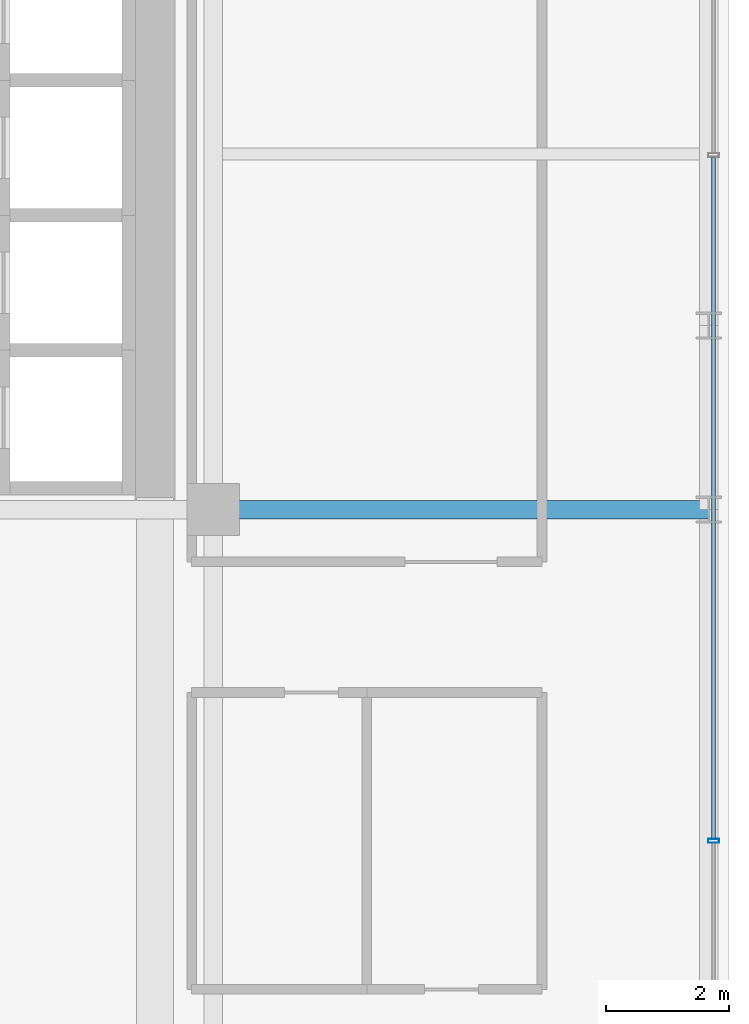
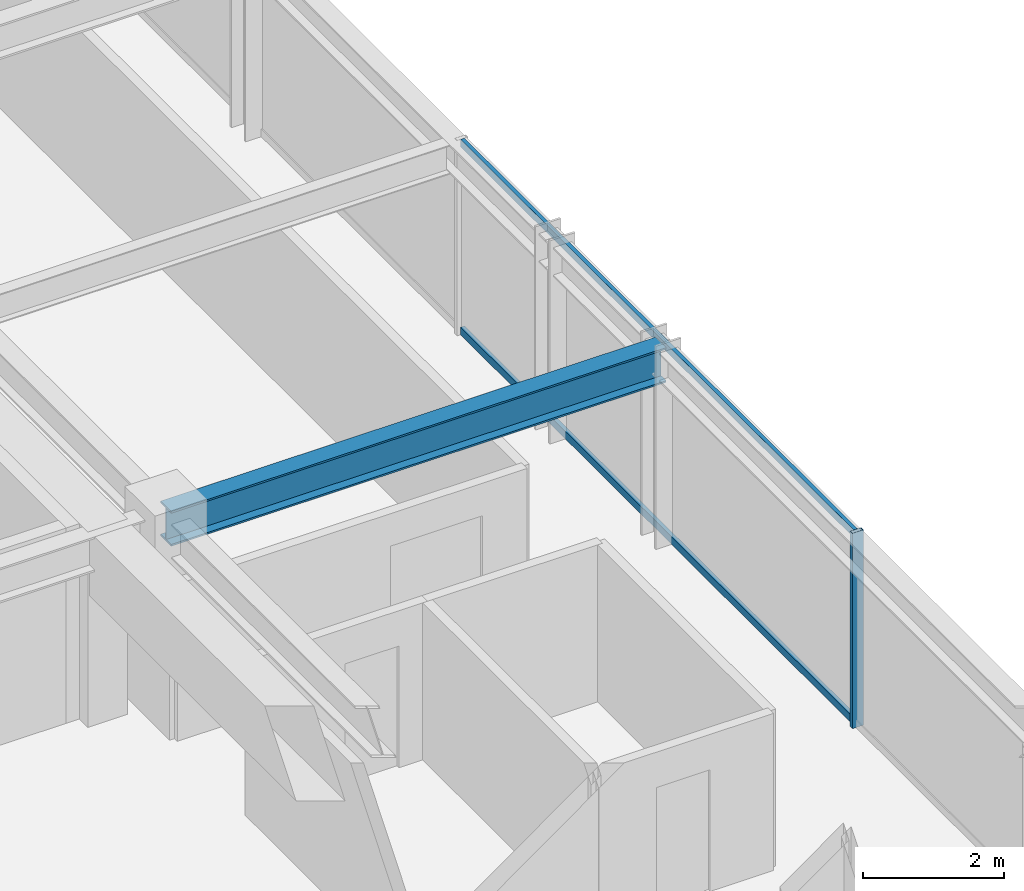
# One storey, part 17 of 36: 3 members, 1 beam, 1 element without a shape of its own.
"""IFC4 building model written with IfcOpenShell, lengths in metres."""

from ifc_helpers import new_model, si_unit, direction, frame, origin, origin_2d, place, context, subcontext, project, spatial, hollow_rectangle, i_section, extrude, source, transform, mapped, material, material_profile, profile_set, type_object, element, aggregate, save


model = new_model("IFC4")

# Units and contexts
model_context = context("Model", 3, precision=1e-05, world=origin(), true_north=direction((0.0, 1.0)))
body_context = subcontext(model_context, "Body", "Model", "MODEL_VIEW")
ifc_project = project(units=[si_unit("LENGTHUNIT", "METRE"), si_unit("AREAUNIT", "SQUARE_METRE"), si_unit("VOLUMEUNIT", "CUBIC_METRE"), si_unit("PLANEANGLEUNIT", "RADIAN"), si_unit("MASSUNIT", "GRAM", prefix="KILO")], contexts=[model_context])

# Site, building, storey
site_placement = place(None, origin())
site = spatial("IfcSite", under=ifc_project, at=site_placement, CompositionType="ELEMENT")
building_placement = place(site_placement, origin())
building = spatial("IfcBuilding", under=site, at=building_placement, Name="Nahalor Promenade Grand Hotel", CompositionType="ELEMENT")
storey_placement = place(building_placement, frame((0.0, 0.0, 76.199951171875)))
storey = spatial("IfcBuildingStorey", under=building, at=storey_placement, Name="L18", CompositionType="ELEMENT", Elevation=76.199951171875)

# Beam
ifc_material_1 = material(Name="Steel S355JR", Category="steel")
ifc_material_profile_1 = material_profile(ifc_material_1, i_section(OverallWidth=0.3, OverallDepth=0.6, WebThickness=0.0155, FlangeThickness=0.03, at=origin_2d()), Name="HEB 600")
ifc_profile_set_1 = profile_set([ifc_material_profile_1], Name="Steel S355JR")
beam_type = type_object("IfcBeamType", Name="Beam-Girder-HEB600", PredefinedType="BEAM", material=ifc_profile_set_1)
shared_shape_1 = source(origin(), body_context, "Body", "SweptSolid", [
    extrude(i_section(OverallWidth=0.3, OverallDepth=0.6, WebThickness=0.0155, FlangeThickness=0.03, at=origin_2d()), origin(), (0.0, 0.0, 1.0), 8.080078125),
])
beam_placement = place(storey_placement, frame((17.0, 5.39990234375, 3.070068359375), z_axis=(1.0, 0.0, 0.0), x_axis=(0.0, 1.0, 0.0)))
element("IfcBeam", 1, at=beam_placement, inside=storey, type_object=beam_type, Name="BM-L18-GX-2-6", PredefinedType="BEAM", context=body_context, shape_type="MappedRepresentation", body=[
    mapped(shared_shape_1, transform((0.0, 0.0, 0.0), scale=1.0)),
])

# Curtain wall, members
ifc_material_2 = material(Name="Anodised Bronze Aluminium EN AW-6063 T6", Category="aluminium")
curtain_wall_type = type_object("IfcCurtainWallType", Name="CW2 Typical Hotel Flush Bronze Unitised Curtain Wall", PredefinedType="USERDEFINED", material=ifc_material_2)
curtain_wall_placement = place(storey_placement, origin())
curtain_wall = element("IfcCurtainWall", 2, at=curtain_wall_placement, inside=storey, type_object=curtain_wall_type, Name="L18 Curtain Wall CW-L18-E-1", ObjectType="UNITISED_CURTAIN_WALL", PredefinedType="USERDEFINED")
ifc_material_profile_2 = material_profile(ifc_material_2, hollow_rectangle(XDim=0.065, YDim=0.18, WallThickness=0.004, at=origin_2d()), Name="CWM 65x180x4")
ifc_profile_set_2 = profile_set([ifc_material_profile_2], Name="Anodised Bronze Aluminium EN AW-6063 T6")
member_type_1 = type_object("IfcMemberType", Name="CWM2 Typical Bronze Mullion 65x180", PredefinedType="MULLION", material=ifc_profile_set_2)
shared_shape_2 = source(origin(), body_context, "Body", "SweptSolid", [
    extrude(hollow_rectangle(XDim=0.065, YDim=0.18, WallThickness=0.004, at=origin_2d()), origin(), (0.0, 0.0, 1.0), 3.3701171875),
])
member_1_placement = place(storey_placement, frame((25.159912109375, 0.0, 0.0), z_axis=(0.0, 0.0, 1.0), x_axis=(0.0, 1.0, 0.0)))
member_1 = element("IfcMember", 3, at=member_1_placement, type_object=member_type_1, Name="CW-L18-E-1 Mullion 2", PredefinedType="MULLION", context=body_context, shape_type="MappedRepresentation", body=[
    mapped(shared_shape_2, transform((0.0, 0.0, 0.0), scale=1.0)),
])
ifc_material_profile_3 = material_profile(ifc_material_2, hollow_rectangle(XDim=0.065, YDim=0.13, WallThickness=0.004, at=origin_2d()), Name="CWT 65x130x4")
ifc_profile_set_3 = profile_set([ifc_material_profile_3], Name="Anodised Bronze Aluminium EN AW-6063 T6")
member_type_2 = type_object("IfcMemberType", Name="CWT2 Typical Bronze Transom 65x130", PredefinedType="USERDEFINED", material=ifc_profile_set_3)
shared_shape_3 = source(origin(), body_context, "Body", "SweptSolid", [
    extrude(hollow_rectangle(XDim=0.065, YDim=0.13, WallThickness=0.004, at=origin_2d()), origin(), (0.0, 0.0, 1.0), 11.114990234375),
])
member_2_placement = place(storey_placement, frame((25.159912109375, 0.032470703125, 0.06494140625), z_axis=(0.0, 1.0, 0.0), x_axis=(-1.0, 0.0, 0.0)))
member_2 = element("IfcMember", 4, at=member_2_placement, type_object=member_type_2, Name="CW-L18-E-1 Transom 2-0", ObjectType="TRANSOM", PredefinedType="USERDEFINED", context=body_context, shape_type="MappedRepresentation", body=[
    mapped(shared_shape_3, transform((0.0, 0.0, 0.0), scale=1.0)),
])
member_3_placement = place(storey_placement, frame((25.159912109375, 0.032470703125, 3.304931640625), z_axis=(0.0, 1.0, 0.0), x_axis=(-1.0, 0.0, 0.0)))
member_3 = element("IfcMember", 5, at=member_3_placement, type_object=member_type_2, Name="CW-L18-E-1 Transom 2-1", ObjectType="TRANSOM", PredefinedType="USERDEFINED", context=body_context, shape_type="MappedRepresentation", body=[
    mapped(shared_shape_3, transform((0.0, 0.0, 0.0), scale=1.0)),
])
aggregate(curtain_wall, [member_1, member_2, member_3])

save(model, "model.ifc")
